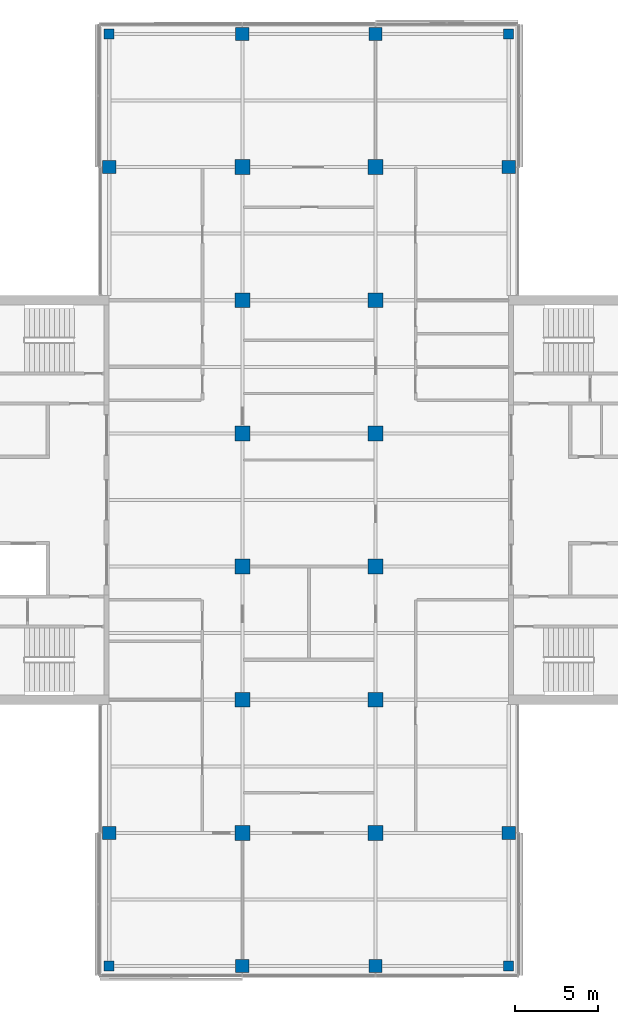
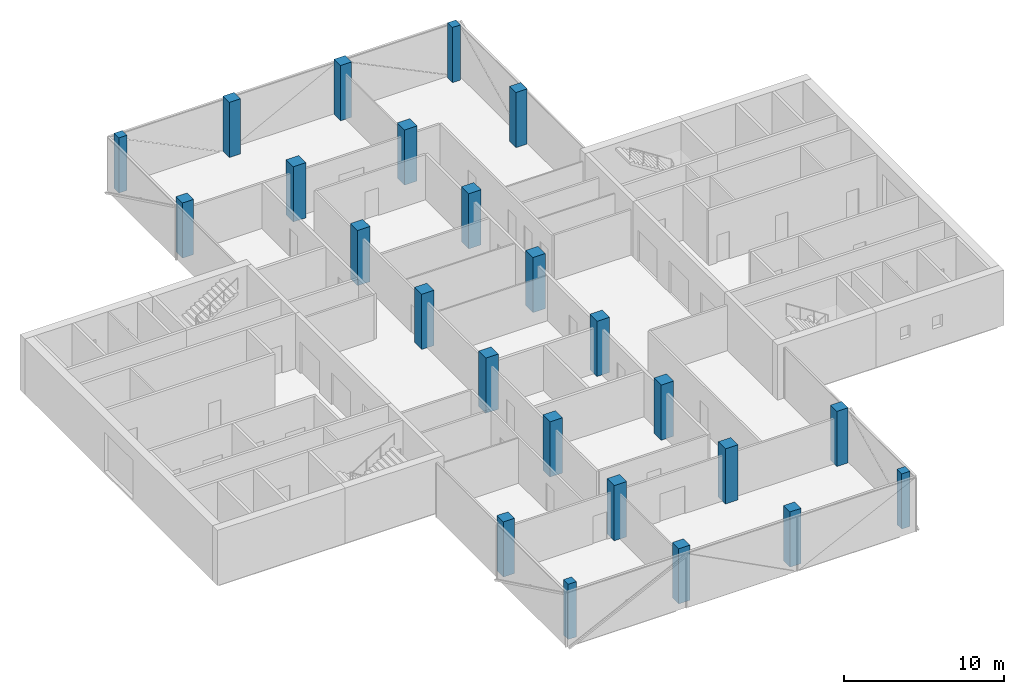
# One storey, part 1 of 15: 24 columns.
"""IFC4 building model written with IfcOpenShell, lengths in metres."""

from ifc_helpers import new_model, si_unit, direction, frame, origin, origin_2d, place, context, subcontext, project, spatial, rectangle, extrude, material, material_profile, profile_set, type_object, element, save


model = new_model("IFC4")

# Units and contexts
model_context = context("Model", 3, precision=1e-05, world=origin(), true_north=direction((0.0, 1.0)))
body_context = subcontext(model_context, "Body", "Model", "MODEL_VIEW")
ifc_project = project(units=[si_unit("LENGTHUNIT", "METRE"), si_unit("AREAUNIT", "SQUARE_METRE"), si_unit("VOLUMEUNIT", "CUBIC_METRE"), si_unit("PLANEANGLEUNIT", "RADIAN"), si_unit("MASSUNIT", "GRAM", prefix="KILO")], contexts=[model_context])

# Site, building, storey
site_placement = place(None, origin())
site = spatial("IfcSite", under=ifc_project, at=site_placement, CompositionType="ELEMENT")
building_placement = place(site_placement, origin())
building = spatial("IfcBuilding", under=site, at=building_placement, Name="Crosswind Convention Tower", CompositionType="ELEMENT")
storey_placement = place(building_placement, frame((0.0, 0.0, 220.89990234375)))
storey = spatial("IfcBuildingStorey", under=building, at=storey_placement, Name="L47", CompositionType="ELEMENT", Elevation=220.89990234375)

# Columns
ifc_material = material(Name="Concrete C60/75", Category="concrete")
ifc_material_profile_1 = material_profile(ifc_material, rectangle(XDim=0.60009765625, YDim=0.60009765625, at=origin_2d()), Name="RC 600X600")
ifc_profile_set_1 = profile_set([ifc_material_profile_1], Name="Concrete C60/75")
column_type_1 = type_object("IfcColumnType", Name="Column RC 600X600", PredefinedType="COLUMN", material=ifc_profile_set_1)
for number, where, z_axis, x_axis, name in (
    (1, (113.0, 72.0, 0.0), (0.0, 0.0, 1.0), (1.0, 0.0, 0.0), "C16 L47 5/C"),
    (2, (113.0, 128.0, 0.0), (0.0, 0.0, 1.0), (1.0, 0.0, 0.0), "C16 L47 5/J"),
    (3, (137.0, 72.0, 0.0), (0.0, 0.0, 1.0), (1.0, 0.0, 0.0), "C16 L47 8/C"),
    (4, (137.0, 128.0, 0.0), (0.0, 0.0, 1.0), (1.0, 0.0, 0.0), "C16 L47 8/J"),
):
    element("IfcColumn", number, at=place(storey_placement, frame(where, z_axis=z_axis, x_axis=x_axis)), inside=storey, type_object=column_type_1, Name=name, PredefinedType="COLUMN", context=body_context, shape_type="SweptSolid", body=[
        extrude(rectangle(XDim=0.60009765625, YDim=0.60009765625, at=origin_2d()), origin(), (0.0, 0.0, 1.0), 4.2001953125),
    ])
ifc_material_profile_2 = material_profile(ifc_material, rectangle(XDim=0.800048828125, YDim=0.800048828125, at=origin_2d()), Name="RC 800X800")
ifc_profile_set_2 = profile_set([ifc_material_profile_2], Name="Concrete C60/75")
column_type_2 = type_object("IfcColumnType", Name="Column RC 800X800", PredefinedType="COLUMN", material=ifc_profile_set_2)
for number, where, z_axis, x_axis, name in (
    (5, (113.0, 80.0, 0.0), (0.0, 0.0, 1.0), (1.0, 0.0, 0.0), "C14 L47 5/D"),
    (6, (113.0, 120.0, 0.0), (0.0, 0.0, 1.0), (1.0, 0.0, 0.0), "C14 L47 5/I"),
    (7, (121.0, 72.0, 0.0), (0.0, 0.0, 1.0), (1.0, 0.0, 0.0), "C14 L47 6/C"),
    (8, (121.0, 128.0, 0.0), (0.0, 0.0, 1.0), (1.0, 0.0, 0.0), "C14 L47 6/J"),
    (9, (129.0, 72.0, 0.0), (0.0, 0.0, 1.0), (1.0, 0.0, 0.0), "C14 L47 7/C"),
    (10, (129.0, 128.0, 0.0), (0.0, 0.0, 1.0), (1.0, 0.0, 0.0), "C14 L47 7/J"),
    (11, (137.0, 80.0, 0.0), (0.0, 0.0, 1.0), (1.0, 0.0, 0.0), "C14 L47 8/D"),
    (12, (137.0, 120.0, 0.0), (0.0, 0.0, 1.0), (1.0, 0.0, 0.0), "C14 L47 8/I"),
):
    element("IfcColumn", number, at=place(storey_placement, frame(where, z_axis=z_axis, x_axis=x_axis)), inside=storey, type_object=column_type_2, Name=name, PredefinedType="COLUMN", context=body_context, shape_type="SweptSolid", body=[
        extrude(rectangle(XDim=0.800048828125, YDim=0.800048828125, at=origin_2d()), origin(), (0.0, 0.0, 1.0), 4.2001953125),
    ])
ifc_material_profile_3 = material_profile(ifc_material, rectangle(XDim=0.89990234375, YDim=0.89990234375, at=origin_2d()), Name="RC 900X900")
ifc_profile_set_3 = profile_set([ifc_material_profile_3], Name="Concrete C60/75")
column_type_3 = type_object("IfcColumnType", Name="Column RC 900X900", PredefinedType="COLUMN", material=ifc_profile_set_3)
for number, where, z_axis, x_axis, name in (
    (13, (121.0, 80.0, 0.0), (0.0, 0.0, 1.0), (1.0, 0.0, 0.0), "C13 L47 6/D"),
    (14, (121.0, 88.0, 0.0), (0.0, 0.0, 1.0), (1.0, 0.0, 0.0), "C13 L47 6/E"),
    (15, (121.0, 96.0, 0.0), (0.0, 0.0, 1.0), (1.0, 0.0, 0.0), "C13 L47 6/F"),
    (16, (121.0, 104.0, 0.0), (0.0, 0.0, 1.0), (1.0, 0.0, 0.0), "C13 L47 6/G"),
    (17, (121.0, 112.0, 0.0), (0.0, 0.0, 1.0), (1.0, 0.0, 0.0), "C13 L47 6/H"),
    (18, (121.0, 120.0, 0.0), (0.0, 0.0, 1.0), (1.0, 0.0, 0.0), "C13 L47 6/I"),
    (19, (129.0, 80.0, 0.0), (0.0, 0.0, 1.0), (1.0, 0.0, 0.0), "C13 L47 7/D"),
    (20, (129.0, 88.0, 0.0), (0.0, 0.0, 1.0), (1.0, 0.0, 0.0), "C13 L47 7/E"),
    (21, (129.0, 96.0, 0.0), (0.0, 0.0, 1.0), (1.0, 0.0, 0.0), "C13 L47 7/F"),
    (22, (129.0, 104.0, 0.0), (0.0, 0.0, 1.0), (1.0, 0.0, 0.0), "C13 L47 7/G"),
    (23, (129.0, 112.0, 0.0), (0.0, 0.0, 1.0), (1.0, 0.0, 0.0), "C13 L47 7/H"),
    (24, (129.0, 120.0, 0.0), (0.0, 0.0, 1.0), (1.0, 0.0, 0.0), "C13 L47 7/I"),
):
    element("IfcColumn", number, at=place(storey_placement, frame(where, z_axis=z_axis, x_axis=x_axis)), inside=storey, type_object=column_type_3, Name=name, PredefinedType="COLUMN", context=body_context, shape_type="SweptSolid", body=[
        extrude(rectangle(XDim=0.89990234375, YDim=0.89990234375, at=origin_2d()), origin(), (0.0, 0.0, 1.0), 4.2001953125),
    ])

save(model, "model.ifc")
